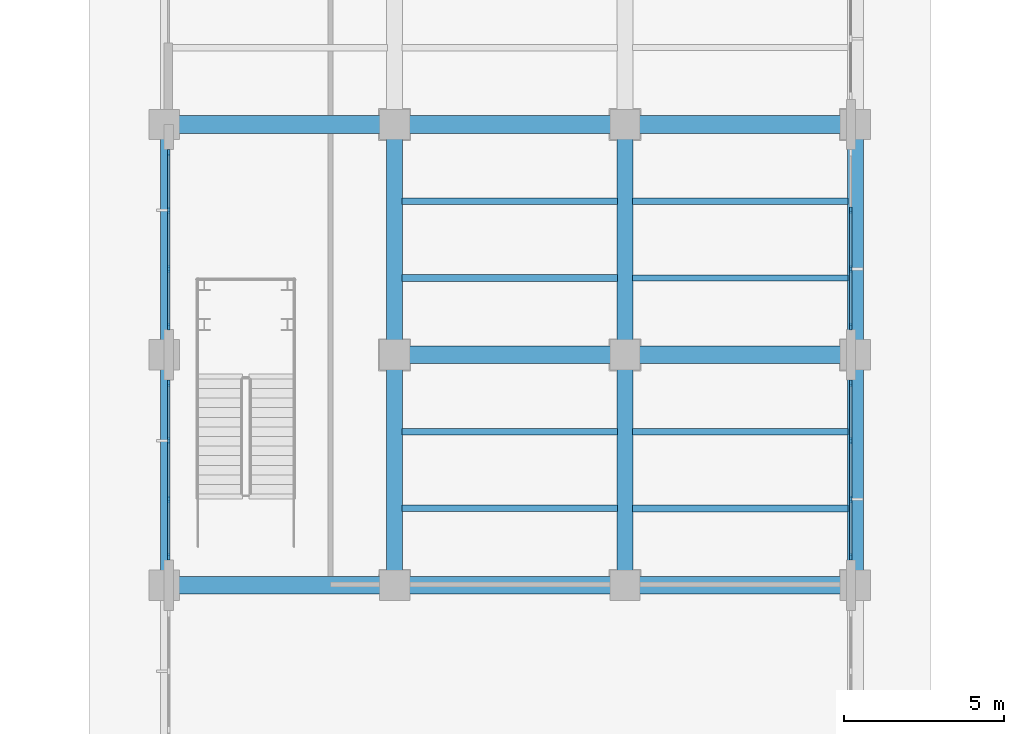
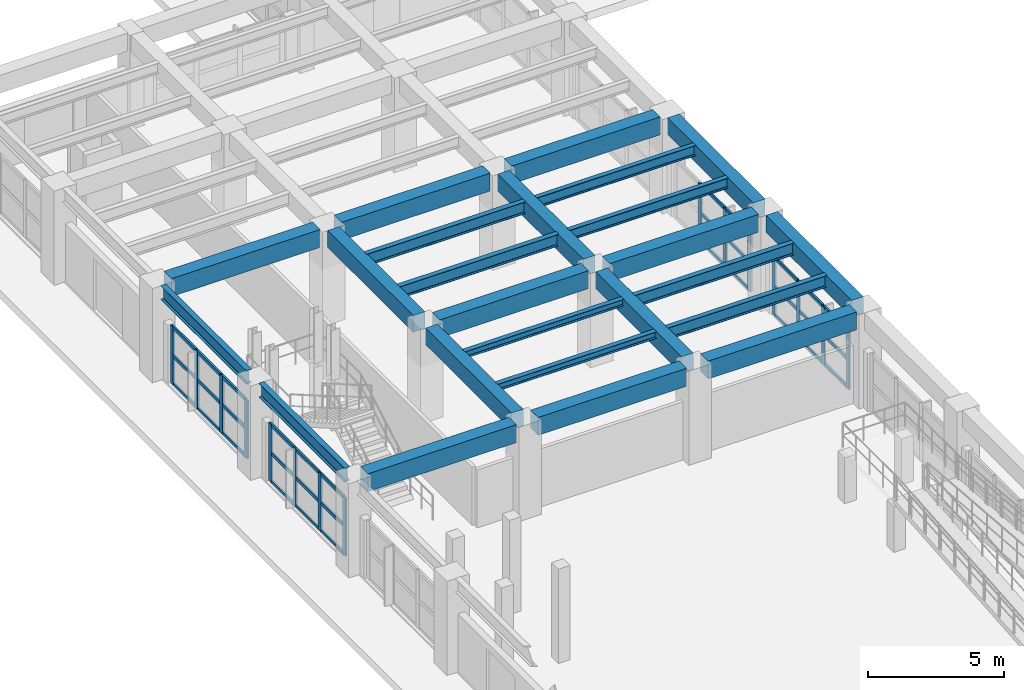
# One storey, part 18 of 64: 48 members, 24 beams, 4 elements without a shape of their own.
"""IFC4 building model written with IfcOpenShell, lengths in metres."""

from ifc_helpers import new_model, si_unit, direction, frame, origin, origin_2d, place, context, subcontext, project, spatial, rectangle, i_section, extrude, material, layer, layer_set, material_profile, profile_set, type_object, element, aggregate, save


model = new_model("IFC4")

# Units and contexts
model_context = context("Model", 3, precision=1e-05, world=origin(), true_north=direction((0.0, 1.0)))
body_context = subcontext(model_context, "Body", "Model", "MODEL_VIEW")
ifc_project = project(units=[si_unit("LENGTHUNIT", "METRE"), si_unit("AREAUNIT", "SQUARE_METRE"), si_unit("VOLUMEUNIT", "CUBIC_METRE"), si_unit("PLANEANGLEUNIT", "RADIAN"), si_unit("MASSUNIT", "GRAM", prefix="KILO")], contexts=[model_context])

# Site, building, storey
site_placement = place(None, origin())
site = spatial("IfcSite", under=ifc_project, at=site_placement, CompositionType="ELEMENT")
building_placement = place(site_placement, origin())
building = spatial("IfcBuilding", under=site, at=building_placement, Name="Solenvale Faculty of Natural Sciences", CompositionType="ELEMENT")
storey_placement = place(building_placement, origin())
storey = spatial("IfcBuildingStorey", under=building, at=storey_placement, Name="L00", CompositionType="ELEMENT", Elevation=0.0)

# Beams
ifc_material_1 = material(Name="Concrete 40 MPa", Category="concrete")
ifc_material_profile_1 = material_profile(ifc_material_1, rectangle(XDim=0.5, YDim=0.75, at=origin_2d()), Name="RC-BM-500x750")
ifc_profile_set_1 = profile_set([ifc_material_profile_1], Name="Concrete 40 MPa")
beam_type_1 = type_object("IfcBeamType", Name="BM-RC-500x750", PredefinedType="BEAM", material=ifc_profile_set_1)
for number, where, z_axis, x_axis, name in (
    (1, (43.199951171875, 65.2548828125, 3.844970703125), (0.0, 1.0, 0.0), (-1.0, 0.0, 0.0), "L00 Y-Girder X43.2 (64.8..72.0)"),
    (2, (43.199951171875, 72.455078125, 3.844970703125), (0.0, 1.0, 0.0), (-1.0, 0.0, 0.0), "L00 Y-Girder X43.2 (72.0..79.2)"),
    (3, (50.39990234375, 65.2548828125, 3.844970703125), (0.0, 1.0, 0.0), (-1.0, 0.0, 0.0), "L00 Y-Girder X50.4 (64.8..72.0)"),
    (4, (50.39990234375, 72.455078125, 3.844970703125), (0.0, 1.0, 0.0), (-1.0, 0.0, 0.0), "L00 Y-Girder X50.4 (72.0..79.2)"),
    (5, (57.60009765625, 65.2548828125, 3.844970703125), (0.0, 1.0, 0.0), (-1.0, 0.0, 0.0), "L00 Y-Girder X57.6 (64.8..72.0)"),
    (6, (57.60009765625, 72.455078125, 3.844970703125), (0.0, 1.0, 0.0), (-1.0, 0.0, 0.0), "L00 Y-Girder X57.6 (72.0..79.2)"),
):
    element("IfcBeam", number, at=place(storey_placement, frame(where, z_axis=z_axis, x_axis=x_axis)), inside=storey, type_object=beam_type_1, Name=name, PredefinedType="BEAM", context=body_context, shape_type="SweptSolid", body=[
        extrude(rectangle(XDim=0.5, YDim=0.75, at=origin_2d()), origin(), (0.0, 0.0, 1.0), 6.2900390625),
    ])
ifc_material_profile_2 = material_profile(ifc_material_1, rectangle(XDim=0.550048828125, YDim=0.800048828125, at=origin_2d()), Name="RC-BM-550x800")
ifc_profile_set_2 = profile_set([ifc_material_profile_2], Name="Concrete 40 MPa")
beam_type_2 = type_object("IfcBeamType", Name="BM-RC-550x800", PredefinedType="BEAM", material=ifc_profile_set_2)
for number, where, z_axis, x_axis, name in (
    (7, (36.455078125, 64.800048828125, 3.820068359375), (1.0, 0.0, 0.0), (0.0, 1.0, 0.0), "L00 X-Girder Y64.8 (36.0..43.2)"),
    (8, (43.655029296875, 64.800048828125, 3.820068359375), (1.0, 0.0, 0.0), (0.0, 1.0, 0.0), "L00 X-Girder Y64.8 (43.2..50.4)"),
    (9, (50.85498046875, 64.800048828125, 3.820068359375), (1.0, 0.0, 0.0), (0.0, 1.0, 0.0), "L00 X-Girder Y64.8 (50.4..57.6)"),
    (10, (43.655029296875, 72.0, 3.820068359375), (1.0, 0.0, 0.0), (0.0, 1.0, 0.0), "L00 X-Girder Y72.0 (43.2..50.4)"),
    (11, (50.85498046875, 72.0, 3.820068359375), (1.0, 0.0, 0.0), (0.0, 1.0, 0.0), "L00 X-Girder Y72.0 (50.4..57.6)"),
    (12, (36.455078125, 79.199951171875, 3.820068359375), (1.0, 0.0, 0.0), (0.0, 1.0, 0.0), "L00 X-Girder Y79.2 (36.0..43.2)"),
    (13, (43.655029296875, 79.199951171875, 3.820068359375), (1.0, 0.0, 0.0), (0.0, 1.0, 0.0), "L00 X-Girder Y79.2 (43.2..50.4)"),
    (14, (50.85498046875, 79.199951171875, 3.820068359375), (1.0, 0.0, 0.0), (0.0, 1.0, 0.0), "L00 X-Girder Y79.2 (50.4..57.6)"),
):
    element("IfcBeam", number, at=place(storey_placement, frame(where, z_axis=z_axis, x_axis=x_axis)), inside=storey, type_object=beam_type_2, Name=name, PredefinedType="BEAM", context=body_context, shape_type="SweptSolid", body=[
        extrude(rectangle(XDim=0.550048828125, YDim=0.800048828125, at=origin_2d()), origin(), (0.0, 0.0, 1.0), 6.2900390625),
    ])
ifc_material_2 = material(Name="Steel S355", Category="steel")
ifc_material_profile_3 = material_profile(ifc_material_2, i_section(OverallWidth=0.202880859375, OverallDepth=0.302978515625, WebThickness=0.007568359375, FlangeThickness=0.01318359375, FilletRadius=0.014892578125, at=origin_2d()), Name="W310x60")
ifc_profile_set_3 = profile_set([ifc_material_profile_3], Name="Steel S355")
beam_type_3 = type_object("IfcBeamType", Name="BM-STL-W310x60", PredefinedType="JOIST", material=ifc_profile_set_3)
for number, where, z_axis, x_axis, name in (
    (15, (43.429931640625, 67.199951171875, 4.068603515625), (1.0, 0.0, 0.0), (0.0, 1.0, 0.0), "L00 Composite Floor Joist (7,10).1"),
    (16, (43.429931640625, 69.60009765625, 4.068603515625), (1.0, 0.0, 0.0), (0.0, 1.0, 0.0), "L00 Composite Floor Joist (7,10).2"),
):
    element("IfcBeam", number, at=place(storey_placement, frame(where, z_axis=z_axis, x_axis=x_axis)), inside=storey, type_object=beam_type_3, Name=name, PredefinedType="JOIST", context=body_context, shape_type="SweptSolid", body=[
        extrude(i_section(OverallWidth=0.202880859375, OverallDepth=0.302978515625, WebThickness=0.007568359375, FlangeThickness=0.01318359375, FilletRadius=0.014892578125, at=origin_2d()), origin(), (0.0, 0.0, 1.0), 6.739990234375),
    ])
ifc_material_profile_4 = material_profile(ifc_material_2, i_section(OverallWidth=0.194091796875, OverallDepth=0.468994140625, WebThickness=0.0126953125, FlangeThickness=0.0205078125, FilletRadius=0.01806640625, at=origin_2d()), Name="W460x106")
ifc_profile_set_4 = profile_set([ifc_material_profile_4], Name="Steel S355")
beam_type_4 = type_object("IfcBeamType", Name="BM-STL-W460x106", PredefinedType="JOIST", material=ifc_profile_set_4)
for number, where, z_axis, x_axis, name in (
    (17, (50.6298828125, 74.39990234375, 3.985595703125), (1.0, 0.0, 0.0), (0.0, 1.0, 0.0), "L00 Composite Floor Joist (8,11).1"),
    (18, (50.6298828125, 76.800048828125, 3.985595703125), (1.0, 0.0, 0.0), (0.0, 1.0, 0.0), "L00 Composite Floor Joist (8,11).2"),
):
    element("IfcBeam", number, at=place(storey_placement, frame(where, z_axis=z_axis, x_axis=x_axis)), inside=storey, type_object=beam_type_4, Name=name, PredefinedType="JOIST", context=body_context, shape_type="SweptSolid", body=[
        extrude(i_section(OverallWidth=0.194091796875, OverallDepth=0.468994140625, WebThickness=0.0126953125, FlangeThickness=0.0205078125, FilletRadius=0.01806640625, at=origin_2d()), origin(), (0.0, 0.0, 1.0), 6.740234375),
    ])
ifc_material_profile_5 = material_profile(ifc_material_2, i_section(OverallWidth=0.208984375, OverallDepth=0.532958984375, WebThickness=0.01025390625, FlangeThickness=0.015625, FilletRadius=0.01904296875, at=origin_2d()), Name="W530x92")
ifc_profile_set_5 = profile_set([ifc_material_profile_5], Name="Steel S355")
beam_type_5 = type_object("IfcBeamType", Name="BM-STL-W530x92", PredefinedType="JOIST", material=ifc_profile_set_5)
for number, where, z_axis, x_axis, name in (
    (19, (43.429931640625, 74.39990234375, 3.95361328125), (1.0, 0.0, 0.0), (0.0, 1.0, 0.0), "L00 Composite Floor Joist (7,11).1"),
    (20, (43.429931640625, 76.800048828125, 3.95361328125), (1.0, 0.0, 0.0), (0.0, 1.0, 0.0), "L00 Composite Floor Joist (7,11).2"),
):
    element("IfcBeam", number, at=place(storey_placement, frame(where, z_axis=z_axis, x_axis=x_axis)), inside=storey, type_object=beam_type_5, Name=name, PredefinedType="JOIST", context=body_context, shape_type="SweptSolid", body=[
        extrude(i_section(OverallWidth=0.208984375, OverallDepth=0.532958984375, WebThickness=0.01025390625, FlangeThickness=0.015625, FilletRadius=0.01904296875, at=origin_2d()), origin(), (0.0, 0.0, 1.0), 6.739990234375),
    ])
for number, where, z_axis, x_axis, name in (
    (21, (50.6298828125, 67.199951171875, 3.95361328125), (1.0, 0.0, 0.0), (0.0, 1.0, 0.0), "L00 Composite Floor Joist (8,10).1"),
    (22, (50.6298828125, 69.60009765625, 3.95361328125), (1.0, 0.0, 0.0), (0.0, 1.0, 0.0), "L00 Composite Floor Joist (8,10).2"),
):
    element("IfcBeam", number, at=place(storey_placement, frame(where, z_axis=z_axis, x_axis=x_axis)), inside=storey, type_object=beam_type_5, Name=name, PredefinedType="JOIST", context=body_context, shape_type="SweptSolid", body=[
        extrude(i_section(OverallWidth=0.208984375, OverallDepth=0.532958984375, WebThickness=0.01025390625, FlangeThickness=0.015625, FilletRadius=0.01904296875, at=origin_2d()), origin(), (0.0, 0.0, 1.0), 6.740234375),
    ])
ifc_material_profile_6 = material_profile(ifc_material_2, i_section(OverallWidth=0.22900390625, OverallDepth=0.612060546875, WebThickness=0.011962890625, FlangeThickness=0.01953125, FilletRadius=0.01904296875, at=origin_2d()), Name="W610x125")
ifc_profile_set_6 = profile_set([ifc_material_profile_6], Name="Steel S355")
beam_type_6 = type_object("IfcBeamType", Name="BM-STL-W610x125", PredefinedType="BEAM", material=ifc_profile_set_6)
for number, where, z_axis, x_axis, name in (
    (23, (36.0, 65.2548828125, 3.9140625), (0.0, 1.0, 0.0), (-1.0, 0.0, 0.0), "L00 Y-Girder X36.0 (64.8..72.0)"),
    (24, (36.0, 72.455078125, 3.9140625), (0.0, 1.0, 0.0), (-1.0, 0.0, 0.0), "L00 Y-Girder X36.0 (72.0..79.2)"),
):
    element("IfcBeam", number, at=place(storey_placement, frame(where, z_axis=z_axis, x_axis=x_axis)), inside=storey, type_object=beam_type_6, Name=name, PredefinedType="BEAM", context=body_context, shape_type="SweptSolid", body=[
        extrude(i_section(OverallWidth=0.22900390625, OverallDepth=0.612060546875, WebThickness=0.011962890625, FlangeThickness=0.01953125, FilletRadius=0.01904296875, at=origin_2d()), origin(), (0.0, 0.0, 1.0), 6.2900390625),
    ])

# Curtain wall, members
ifc_material_3 = material(Name="Anodised bronze aluminium", Category="aluminium")
ifc_layer = layer(ifc_material_3, 0.215087890625)
ifc_layer_set = layer_set([ifc_layer], Name="Anodised bronze aluminium")
curtain_wall_type = type_object("IfcCurtainWallType", Name="CW-ATR-UNIT", PredefinedType="USERDEFINED", material=ifc_layer_set)
curtain_wall_1_placement = place(storey_placement, origin())
curtain_wall_1 = element("IfcCurtainWall", 25, at=curtain_wall_1_placement, inside=storey, type_object=curtain_wall_type, Name="L00 Curtain Wall CW-L00-P1-E10-B3", ObjectType="UNITISED CURTAIN WALL", PredefinedType="USERDEFINED")
ifc_material_profile_7 = material_profile(ifc_material_3, rectangle(XDim=0.074951171875, YDim=0.2099609375, at=origin_2d()), Name="ALU-MUL-75x210")
ifc_profile_set_7 = profile_set([ifc_material_profile_7], Name="Anodised bronze aluminium")
member_type_1 = type_object("IfcMemberType", Name="CWM-ALU-75x210", PredefinedType="MULLION", material=ifc_profile_set_7)
member_1_placement = place(storey_placement, frame((57.45751953125, 65.6875, 0.0), z_axis=(0.0, 0.0, 1.0), x_axis=(-1.0, 0.0, 0.0)))
member_1 = element("IfcMember", 26, at=member_1_placement, type_object=member_type_1, Name="CW-01 mullion 1", PredefinedType="MULLION", context=body_context, shape_type="SweptSolid", body=[
    extrude(rectangle(XDim=0.074951171875, YDim=0.2099609375, at=origin_2d()), origin(), (0.0, 0.0, 1.0), 2.60009765625),
])
member_2_placement = place(storey_placement, frame((57.45751953125, 67.4833984375, 0.0), z_axis=(0.0, 0.0, 1.0), x_axis=(-1.0, 0.0, 0.0)))
member_2 = element("IfcMember", 27, at=member_2_placement, type_object=member_type_1, Name="CW-01 mullion 2", PredefinedType="MULLION", context=body_context, shape_type="SweptSolid", body=[
    extrude(rectangle(XDim=0.074951171875, YDim=0.2099609375, at=origin_2d()), origin(), (0.0, 0.0, 1.0), 2.60009765625),
])
member_3_placement = place(storey_placement, frame((57.45751953125, 69.316650390625, 0.0), z_axis=(0.0, 0.0, 1.0), x_axis=(-1.0, 0.0, 0.0)))
member_3 = element("IfcMember", 28, at=member_3_placement, type_object=member_type_1, Name="CW-01 mullion 3", PredefinedType="MULLION", context=body_context, shape_type="SweptSolid", body=[
    extrude(rectangle(XDim=0.074951171875, YDim=0.2099609375, at=origin_2d()), origin(), (0.0, 0.0, 1.0), 2.60009765625),
])
member_4_placement = place(storey_placement, frame((57.45751953125, 71.112548828125, 0.0), z_axis=(0.0, 0.0, 1.0), x_axis=(-1.0, 0.0, 0.0)))
member_4 = element("IfcMember", 29, at=member_4_placement, type_object=member_type_1, Name="CW-01 mullion 4", PredefinedType="MULLION", context=body_context, shape_type="SweptSolid", body=[
    extrude(rectangle(XDim=0.074951171875, YDim=0.2099609375, at=origin_2d()), origin(), (0.0, 0.0, 1.0), 2.60009765625),
])

curtain_wall_2_placement = place(storey_placement, origin())
curtain_wall_2 = element("IfcCurtainWall", 30, at=curtain_wall_2_placement, inside=storey, type_object=curtain_wall_type, Name="L00 Curtain Wall CW-L00-P1-E10-B4", ObjectType="UNITISED CURTAIN WALL", PredefinedType="USERDEFINED")
member_5_placement = place(storey_placement, frame((57.45751953125, 72.887451171875, 0.0), z_axis=(0.0, 0.0, 1.0), x_axis=(-1.0, 0.0, 0.0)))
member_5 = element("IfcMember", 31, at=member_5_placement, type_object=member_type_1, Name="CW-01 mullion 1", PredefinedType="MULLION", context=body_context, shape_type="SweptSolid", body=[
    extrude(rectangle(XDim=0.074951171875, YDim=0.2099609375, at=origin_2d()), origin(), (0.0, 0.0, 1.0), 2.60009765625),
])
member_6_placement = place(storey_placement, frame((57.45751953125, 74.683349609375, 0.0), z_axis=(0.0, 0.0, 1.0), x_axis=(-1.0, 0.0, 0.0)))
member_6 = element("IfcMember", 32, at=member_6_placement, type_object=member_type_1, Name="CW-01 mullion 2", PredefinedType="MULLION", context=body_context, shape_type="SweptSolid", body=[
    extrude(rectangle(XDim=0.074951171875, YDim=0.2099609375, at=origin_2d()), origin(), (0.0, 0.0, 1.0), 2.60009765625),
])
member_7_placement = place(storey_placement, frame((57.45751953125, 76.5166015625, 0.0), z_axis=(0.0, 0.0, 1.0), x_axis=(-1.0, 0.0, 0.0)))
member_7 = element("IfcMember", 33, at=member_7_placement, type_object=member_type_1, Name="CW-01 mullion 3", PredefinedType="MULLION", context=body_context, shape_type="SweptSolid", body=[
    extrude(rectangle(XDim=0.074951171875, YDim=0.2099609375, at=origin_2d()), origin(), (0.0, 0.0, 1.0), 2.60009765625),
])

curtain_wall_3_placement = place(storey_placement, origin())
curtain_wall_3 = element("IfcCurtainWall", 34, at=curtain_wall_3_placement, inside=storey, type_object=curtain_wall_type, Name="L00 Curtain Wall CW-L00-P1-E22-B3", ObjectType="UNITISED CURTAIN WALL", PredefinedType="USERDEFINED")
member_8_placement = place(storey_placement, frame((36.142578125, 78.3125, 0.0), z_axis=(0.0, 0.0, 1.0), x_axis=(1.0, 0.0, 0.0)))
member_8 = element("IfcMember", 35, at=member_8_placement, type_object=member_type_1, Name="CW-01 mullion 1", PredefinedType="MULLION", context=body_context, shape_type="SweptSolid", body=[
    extrude(rectangle(XDim=0.074951171875, YDim=0.2099609375, at=origin_2d()), origin(), (0.0, 0.0, 1.0), 2.60009765625),
])
member_9_placement = place(storey_placement, frame((36.142578125, 76.5166015625, 0.0), z_axis=(0.0, 0.0, 1.0), x_axis=(1.0, 0.0, 0.0)))
member_9 = element("IfcMember", 36, at=member_9_placement, type_object=member_type_1, Name="CW-01 mullion 2", PredefinedType="MULLION", context=body_context, shape_type="SweptSolid", body=[
    extrude(rectangle(XDim=0.074951171875, YDim=0.2099609375, at=origin_2d()), origin(), (0.0, 0.0, 1.0), 2.60009765625),
])
member_10_placement = place(storey_placement, frame((36.142578125, 74.683349609375, 0.0), z_axis=(0.0, 0.0, 1.0), x_axis=(1.0, 0.0, 0.0)))
member_10 = element("IfcMember", 37, at=member_10_placement, type_object=member_type_1, Name="CW-01 mullion 3", PredefinedType="MULLION", context=body_context, shape_type="SweptSolid", body=[
    extrude(rectangle(XDim=0.074951171875, YDim=0.2099609375, at=origin_2d()), origin(), (0.0, 0.0, 1.0), 2.60009765625),
])
member_11_placement = place(storey_placement, frame((36.142578125, 72.887451171875, 0.0), z_axis=(0.0, 0.0, 1.0), x_axis=(1.0, 0.0, 0.0)))
member_11 = element("IfcMember", 38, at=member_11_placement, type_object=member_type_1, Name="CW-01 mullion 4", PredefinedType="MULLION", context=body_context, shape_type="SweptSolid", body=[
    extrude(rectangle(XDim=0.074951171875, YDim=0.2099609375, at=origin_2d()), origin(), (0.0, 0.0, 1.0), 2.60009765625),
])

curtain_wall_4_placement = place(storey_placement, origin())
curtain_wall_4 = element("IfcCurtainWall", 39, at=curtain_wall_4_placement, inside=storey, type_object=curtain_wall_type, Name="L00 Curtain Wall CW-L00-P1-E22-B4", ObjectType="UNITISED CURTAIN WALL", PredefinedType="USERDEFINED")
member_12_placement = place(storey_placement, frame((36.142578125, 71.112548828125, 0.0), z_axis=(0.0, 0.0, 1.0), x_axis=(1.0, 0.0, 0.0)))
member_12 = element("IfcMember", 40, at=member_12_placement, type_object=member_type_1, Name="CW-01 mullion 1", PredefinedType="MULLION", context=body_context, shape_type="SweptSolid", body=[
    extrude(rectangle(XDim=0.074951171875, YDim=0.2099609375, at=origin_2d()), origin(), (0.0, 0.0, 1.0), 2.60009765625),
])
member_13_placement = place(storey_placement, frame((36.142578125, 69.316650390625, 0.0), z_axis=(0.0, 0.0, 1.0), x_axis=(1.0, 0.0, 0.0)))
member_13 = element("IfcMember", 41, at=member_13_placement, type_object=member_type_1, Name="CW-01 mullion 2", PredefinedType="MULLION", context=body_context, shape_type="SweptSolid", body=[
    extrude(rectangle(XDim=0.074951171875, YDim=0.2099609375, at=origin_2d()), origin(), (0.0, 0.0, 1.0), 2.60009765625),
])
member_14_placement = place(storey_placement, frame((36.142578125, 67.4833984375, 0.0), z_axis=(0.0, 0.0, 1.0), x_axis=(1.0, 0.0, 0.0)))
member_14 = element("IfcMember", 42, at=member_14_placement, type_object=member_type_1, Name="CW-01 mullion 3", PredefinedType="MULLION", context=body_context, shape_type="SweptSolid", body=[
    extrude(rectangle(XDim=0.074951171875, YDim=0.2099609375, at=origin_2d()), origin(), (0.0, 0.0, 1.0), 2.60009765625),
])
member_15_placement = place(storey_placement, frame((36.142578125, 65.6875, 0.0), z_axis=(0.0, 0.0, 1.0), x_axis=(1.0, 0.0, 0.0)))
member_15 = element("IfcMember", 43, at=member_15_placement, type_object=member_type_1, Name="CW-01 mullion 4", PredefinedType="MULLION", context=body_context, shape_type="SweptSolid", body=[
    extrude(rectangle(XDim=0.074951171875, YDim=0.2099609375, at=origin_2d()), origin(), (0.0, 0.0, 1.0), 2.60009765625),
])

# Member
ifc_material_profile_8 = material_profile(ifc_material_3, rectangle(XDim=0.074951171875, YDim=0.155029296875, at=origin_2d()), Name="ALU-TRN-75x155")
ifc_profile_set_8 = profile_set([ifc_material_profile_8], Name="Anodised bronze aluminium")
member_type_2 = type_object("IfcMemberType", Name="CWT-ALU-75x155", PredefinedType="USERDEFINED", material=ifc_profile_set_8)
member_16_placement = place(storey_placement, frame((57.45751953125, 65.72509765625, 0.03759765625), z_axis=(0.0, 1.0, 0.0), x_axis=(-1.0, 0.0, 0.0)))
member_16 = element("IfcMember", 44, at=member_16_placement, type_object=member_type_2, Name="CW-01 transom 1.1", ObjectType="TRANSOM", PredefinedType="USERDEFINED", context=body_context, shape_type="SweptSolid", body=[
    extrude(rectangle(XDim=0.074951171875, YDim=0.155029296875, at=origin_2d()), origin(), (0.0, 0.0, 1.0), 1.720703125),
])

member_17_placement = place(storey_placement, frame((57.45751953125, 65.72509765625, 1.300048828125), z_axis=(0.0, 1.0, 0.0), x_axis=(-1.0, 0.0, 0.0)))
member_17 = element("IfcMember", 45, at=member_17_placement, type_object=member_type_2, Name="CW-01 transom 1.2", ObjectType="TRANSOM", PredefinedType="USERDEFINED", context=body_context, shape_type="SweptSolid", body=[
    extrude(rectangle(XDim=0.074951171875, YDim=0.155029296875, at=origin_2d()), origin(), (0.0, 0.0, 1.0), 1.720703125),
])

member_18_placement = place(storey_placement, frame((57.45751953125, 65.72509765625, 2.5625), z_axis=(0.0, 1.0, 0.0), x_axis=(-1.0, 0.0, 0.0)))
member_18 = element("IfcMember", 46, at=member_18_placement, type_object=member_type_2, Name="CW-01 transom 1.3", ObjectType="TRANSOM", PredefinedType="USERDEFINED", context=body_context, shape_type="SweptSolid", body=[
    extrude(rectangle(XDim=0.074951171875, YDim=0.155029296875, at=origin_2d()), origin(), (0.0, 0.0, 1.0), 1.720703125),
])

member_19_placement = place(storey_placement, frame((57.45751953125, 67.520751953125, 0.03759765625), z_axis=(0.0, 1.0, 0.0), x_axis=(-1.0, 0.0, 0.0)))
member_19 = element("IfcMember", 47, at=member_19_placement, type_object=member_type_2, Name="CW-01 transom 2.1", ObjectType="TRANSOM", PredefinedType="USERDEFINED", context=body_context, shape_type="SweptSolid", body=[
    extrude(rectangle(XDim=0.074951171875, YDim=0.155029296875, at=origin_2d()), origin(), (0.0, 0.0, 1.0), 1.75830078125),
])

member_20_placement = place(storey_placement, frame((57.45751953125, 67.520751953125, 1.300048828125), z_axis=(0.0, 1.0, 0.0), x_axis=(-1.0, 0.0, 0.0)))
member_20 = element("IfcMember", 48, at=member_20_placement, type_object=member_type_2, Name="CW-01 transom 2.2", ObjectType="TRANSOM", PredefinedType="USERDEFINED", context=body_context, shape_type="SweptSolid", body=[
    extrude(rectangle(XDim=0.074951171875, YDim=0.155029296875, at=origin_2d()), origin(), (0.0, 0.0, 1.0), 1.75830078125),
])

member_21_placement = place(storey_placement, frame((57.45751953125, 67.520751953125, 2.5625), z_axis=(0.0, 1.0, 0.0), x_axis=(-1.0, 0.0, 0.0)))
member_21 = element("IfcMember", 49, at=member_21_placement, type_object=member_type_2, Name="CW-01 transom 2.3", ObjectType="TRANSOM", PredefinedType="USERDEFINED", context=body_context, shape_type="SweptSolid", body=[
    extrude(rectangle(XDim=0.074951171875, YDim=0.155029296875, at=origin_2d()), origin(), (0.0, 0.0, 1.0), 1.75830078125),
])

member_22_placement = place(storey_placement, frame((57.45751953125, 69.354248046875, 0.03759765625), z_axis=(0.0, 1.0, 0.0), x_axis=(-1.0, 0.0, 0.0)))
member_22 = element("IfcMember", 50, at=member_22_placement, type_object=member_type_2, Name="CW-01 transom 3.1", ObjectType="TRANSOM", PredefinedType="USERDEFINED", context=body_context, shape_type="SweptSolid", body=[
    extrude(rectangle(XDim=0.074951171875, YDim=0.155029296875, at=origin_2d()), origin(), (0.0, 0.0, 1.0), 1.720703125),
])

member_23_placement = place(storey_placement, frame((57.45751953125, 69.354248046875, 1.300048828125), z_axis=(0.0, 1.0, 0.0), x_axis=(-1.0, 0.0, 0.0)))
member_23 = element("IfcMember", 51, at=member_23_placement, type_object=member_type_2, Name="CW-01 transom 3.2", ObjectType="TRANSOM", PredefinedType="USERDEFINED", context=body_context, shape_type="SweptSolid", body=[
    extrude(rectangle(XDim=0.074951171875, YDim=0.155029296875, at=origin_2d()), origin(), (0.0, 0.0, 1.0), 1.720703125),
])

member_24_placement = place(storey_placement, frame((57.45751953125, 69.354248046875, 2.5625), z_axis=(0.0, 1.0, 0.0), x_axis=(-1.0, 0.0, 0.0)))
member_24 = element("IfcMember", 52, at=member_24_placement, type_object=member_type_2, Name="CW-01 transom 3.3", ObjectType="TRANSOM", PredefinedType="USERDEFINED", context=body_context, shape_type="SweptSolid", body=[
    extrude(rectangle(XDim=0.074951171875, YDim=0.155029296875, at=origin_2d()), origin(), (0.0, 0.0, 1.0), 1.720703125),
])

aggregate(curtain_wall_1, [member_1, member_2, member_3, member_4, member_16, member_17, member_18, member_19, member_20, member_21, member_22, member_23, member_24])

member_25_placement = place(storey_placement, frame((57.45751953125, 72.925048828125, 0.03759765625), z_axis=(0.0, 1.0, 0.0), x_axis=(-1.0, 0.0, 0.0)))
member_25 = element("IfcMember", 53, at=member_25_placement, type_object=member_type_2, Name="CW-01 transom 1.1", ObjectType="TRANSOM", PredefinedType="USERDEFINED", context=body_context, shape_type="SweptSolid", body=[
    extrude(rectangle(XDim=0.074951171875, YDim=0.155029296875, at=origin_2d()), origin(), (0.0, 0.0, 1.0), 1.720703125),
])

member_26_placement = place(storey_placement, frame((57.45751953125, 72.925048828125, 1.300048828125), z_axis=(0.0, 1.0, 0.0), x_axis=(-1.0, 0.0, 0.0)))
member_26 = element("IfcMember", 54, at=member_26_placement, type_object=member_type_2, Name="CW-01 transom 1.2", ObjectType="TRANSOM", PredefinedType="USERDEFINED", context=body_context, shape_type="SweptSolid", body=[
    extrude(rectangle(XDim=0.074951171875, YDim=0.155029296875, at=origin_2d()), origin(), (0.0, 0.0, 1.0), 1.720703125),
])

member_27_placement = place(storey_placement, frame((57.45751953125, 72.925048828125, 2.5625), z_axis=(0.0, 1.0, 0.0), x_axis=(-1.0, 0.0, 0.0)))
member_27 = element("IfcMember", 55, at=member_27_placement, type_object=member_type_2, Name="CW-01 transom 1.3", ObjectType="TRANSOM", PredefinedType="USERDEFINED", context=body_context, shape_type="SweptSolid", body=[
    extrude(rectangle(XDim=0.074951171875, YDim=0.155029296875, at=origin_2d()), origin(), (0.0, 0.0, 1.0), 1.720703125),
])

member_28_placement = place(storey_placement, frame((57.45751953125, 74.720947265625, 0.03759765625), z_axis=(0.0, 1.0, 0.0), x_axis=(-1.0, 0.0, 0.0)))
member_28 = element("IfcMember", 56, at=member_28_placement, type_object=member_type_2, Name="CW-01 transom 2.1", ObjectType="TRANSOM", PredefinedType="USERDEFINED", context=body_context, shape_type="SweptSolid", body=[
    extrude(rectangle(XDim=0.074951171875, YDim=0.155029296875, at=origin_2d()), origin(), (0.0, 0.0, 1.0), 1.75830078125),
])

member_29_placement = place(storey_placement, frame((57.45751953125, 74.720947265625, 1.300048828125), z_axis=(0.0, 1.0, 0.0), x_axis=(-1.0, 0.0, 0.0)))
member_29 = element("IfcMember", 57, at=member_29_placement, type_object=member_type_2, Name="CW-01 transom 2.2", ObjectType="TRANSOM", PredefinedType="USERDEFINED", context=body_context, shape_type="SweptSolid", body=[
    extrude(rectangle(XDim=0.074951171875, YDim=0.155029296875, at=origin_2d()), origin(), (0.0, 0.0, 1.0), 1.75830078125),
])

member_30_placement = place(storey_placement, frame((57.45751953125, 74.720947265625, 2.5625), z_axis=(0.0, 1.0, 0.0), x_axis=(-1.0, 0.0, 0.0)))
member_30 = element("IfcMember", 58, at=member_30_placement, type_object=member_type_2, Name="CW-01 transom 2.3", ObjectType="TRANSOM", PredefinedType="USERDEFINED", context=body_context, shape_type="SweptSolid", body=[
    extrude(rectangle(XDim=0.074951171875, YDim=0.155029296875, at=origin_2d()), origin(), (0.0, 0.0, 1.0), 1.75830078125),
])

aggregate(curtain_wall_2, [member_5, member_6, member_7, member_25, member_26, member_27, member_28, member_29, member_30])

member_31_placement = place(storey_placement, frame((36.142578125, 78.27490234375, 0.03759765625), z_axis=(0.0, -1.0, 0.0), x_axis=(1.0, 0.0, 0.0)))
member_31 = element("IfcMember", 59, at=member_31_placement, type_object=member_type_2, Name="CW-01 transom 1.1", ObjectType="TRANSOM", PredefinedType="USERDEFINED", context=body_context, shape_type="SweptSolid", body=[
    extrude(rectangle(XDim=0.074951171875, YDim=0.155029296875, at=origin_2d()), origin(), (0.0, 0.0, 1.0), 1.720703125),
])

member_32_placement = place(storey_placement, frame((36.142578125, 78.27490234375, 1.300048828125), z_axis=(0.0, -1.0, 0.0), x_axis=(1.0, 0.0, 0.0)))
member_32 = element("IfcMember", 60, at=member_32_placement, type_object=member_type_2, Name="CW-01 transom 1.2", ObjectType="TRANSOM", PredefinedType="USERDEFINED", context=body_context, shape_type="SweptSolid", body=[
    extrude(rectangle(XDim=0.074951171875, YDim=0.155029296875, at=origin_2d()), origin(), (0.0, 0.0, 1.0), 1.720703125),
])

member_33_placement = place(storey_placement, frame((36.142578125, 78.27490234375, 2.5625), z_axis=(0.0, -1.0, 0.0), x_axis=(1.0, 0.0, 0.0)))
member_33 = element("IfcMember", 61, at=member_33_placement, type_object=member_type_2, Name="CW-01 transom 1.3", ObjectType="TRANSOM", PredefinedType="USERDEFINED", context=body_context, shape_type="SweptSolid", body=[
    extrude(rectangle(XDim=0.074951171875, YDim=0.155029296875, at=origin_2d()), origin(), (0.0, 0.0, 1.0), 1.720703125),
])

member_34_placement = place(storey_placement, frame((36.142578125, 76.479248046875, 0.03759765625), z_axis=(0.0, -1.0, 0.0), x_axis=(1.0, 0.0, 0.0)))
member_34 = element("IfcMember", 62, at=member_34_placement, type_object=member_type_2, Name="CW-01 transom 2.1", ObjectType="TRANSOM", PredefinedType="USERDEFINED", context=body_context, shape_type="SweptSolid", body=[
    extrude(rectangle(XDim=0.074951171875, YDim=0.155029296875, at=origin_2d()), origin(), (0.0, 0.0, 1.0), 1.75830078125),
])

member_35_placement = place(storey_placement, frame((36.142578125, 76.479248046875, 1.300048828125), z_axis=(0.0, -1.0, 0.0), x_axis=(1.0, 0.0, 0.0)))
member_35 = element("IfcMember", 63, at=member_35_placement, type_object=member_type_2, Name="CW-01 transom 2.2", ObjectType="TRANSOM", PredefinedType="USERDEFINED", context=body_context, shape_type="SweptSolid", body=[
    extrude(rectangle(XDim=0.074951171875, YDim=0.155029296875, at=origin_2d()), origin(), (0.0, 0.0, 1.0), 1.75830078125),
])

member_36_placement = place(storey_placement, frame((36.142578125, 76.479248046875, 2.5625), z_axis=(0.0, -1.0, 0.0), x_axis=(1.0, 0.0, 0.0)))
member_36 = element("IfcMember", 64, at=member_36_placement, type_object=member_type_2, Name="CW-01 transom 2.3", ObjectType="TRANSOM", PredefinedType="USERDEFINED", context=body_context, shape_type="SweptSolid", body=[
    extrude(rectangle(XDim=0.074951171875, YDim=0.155029296875, at=origin_2d()), origin(), (0.0, 0.0, 1.0), 1.75830078125),
])

member_37_placement = place(storey_placement, frame((36.142578125, 74.645751953125, 0.03759765625), z_axis=(0.0, -1.0, 0.0), x_axis=(1.0, 0.0, 0.0)))
member_37 = element("IfcMember", 65, at=member_37_placement, type_object=member_type_2, Name="CW-01 transom 3.1", ObjectType="TRANSOM", PredefinedType="USERDEFINED", context=body_context, shape_type="SweptSolid", body=[
    extrude(rectangle(XDim=0.074951171875, YDim=0.155029296875, at=origin_2d()), origin(), (0.0, 0.0, 1.0), 1.720703125),
])

member_38_placement = place(storey_placement, frame((36.142578125, 74.645751953125, 1.300048828125), z_axis=(0.0, -1.0, 0.0), x_axis=(1.0, 0.0, 0.0)))
member_38 = element("IfcMember", 66, at=member_38_placement, type_object=member_type_2, Name="CW-01 transom 3.2", ObjectType="TRANSOM", PredefinedType="USERDEFINED", context=body_context, shape_type="SweptSolid", body=[
    extrude(rectangle(XDim=0.074951171875, YDim=0.155029296875, at=origin_2d()), origin(), (0.0, 0.0, 1.0), 1.720703125),
])

member_39_placement = place(storey_placement, frame((36.142578125, 74.645751953125, 2.5625), z_axis=(0.0, -1.0, 0.0), x_axis=(1.0, 0.0, 0.0)))
member_39 = element("IfcMember", 67, at=member_39_placement, type_object=member_type_2, Name="CW-01 transom 3.3", ObjectType="TRANSOM", PredefinedType="USERDEFINED", context=body_context, shape_type="SweptSolid", body=[
    extrude(rectangle(XDim=0.074951171875, YDim=0.155029296875, at=origin_2d()), origin(), (0.0, 0.0, 1.0), 1.720703125),
])

aggregate(curtain_wall_3, [member_8, member_9, member_10, member_11, member_31, member_32, member_33, member_34, member_35, member_36, member_37, member_38, member_39])

member_40_placement = place(storey_placement, frame((36.142578125, 71.074951171875, 0.03759765625), z_axis=(0.0, -1.0, 0.0), x_axis=(1.0, 0.0, 0.0)))
member_40 = element("IfcMember", 68, at=member_40_placement, type_object=member_type_2, Name="CW-01 transom 1.1", ObjectType="TRANSOM", PredefinedType="USERDEFINED", context=body_context, shape_type="SweptSolid", body=[
    extrude(rectangle(XDim=0.074951171875, YDim=0.155029296875, at=origin_2d()), origin(), (0.0, 0.0, 1.0), 1.720703125),
])

member_41_placement = place(storey_placement, frame((36.142578125, 71.074951171875, 1.300048828125), z_axis=(0.0, -1.0, 0.0), x_axis=(1.0, 0.0, 0.0)))
member_41 = element("IfcMember", 69, at=member_41_placement, type_object=member_type_2, Name="CW-01 transom 1.2", ObjectType="TRANSOM", PredefinedType="USERDEFINED", context=body_context, shape_type="SweptSolid", body=[
    extrude(rectangle(XDim=0.074951171875, YDim=0.155029296875, at=origin_2d()), origin(), (0.0, 0.0, 1.0), 1.720703125),
])

member_42_placement = place(storey_placement, frame((36.142578125, 71.074951171875, 2.5625), z_axis=(0.0, -1.0, 0.0), x_axis=(1.0, 0.0, 0.0)))
member_42 = element("IfcMember", 70, at=member_42_placement, type_object=member_type_2, Name="CW-01 transom 1.3", ObjectType="TRANSOM", PredefinedType="USERDEFINED", context=body_context, shape_type="SweptSolid", body=[
    extrude(rectangle(XDim=0.074951171875, YDim=0.155029296875, at=origin_2d()), origin(), (0.0, 0.0, 1.0), 1.720703125),
])

member_43_placement = place(storey_placement, frame((36.142578125, 69.279052734375, 0.03759765625), z_axis=(0.0, -1.0, 0.0), x_axis=(1.0, 0.0, 0.0)))
member_43 = element("IfcMember", 71, at=member_43_placement, type_object=member_type_2, Name="CW-01 transom 2.1", ObjectType="TRANSOM", PredefinedType="USERDEFINED", context=body_context, shape_type="SweptSolid", body=[
    extrude(rectangle(XDim=0.074951171875, YDim=0.155029296875, at=origin_2d()), origin(), (0.0, 0.0, 1.0), 1.75830078125),
])

member_44_placement = place(storey_placement, frame((36.142578125, 69.279052734375, 1.300048828125), z_axis=(0.0, -1.0, 0.0), x_axis=(1.0, 0.0, 0.0)))
member_44 = element("IfcMember", 72, at=member_44_placement, type_object=member_type_2, Name="CW-01 transom 2.2", ObjectType="TRANSOM", PredefinedType="USERDEFINED", context=body_context, shape_type="SweptSolid", body=[
    extrude(rectangle(XDim=0.074951171875, YDim=0.155029296875, at=origin_2d()), origin(), (0.0, 0.0, 1.0), 1.75830078125),
])

member_45_placement = place(storey_placement, frame((36.142578125, 69.279052734375, 2.5625), z_axis=(0.0, -1.0, 0.0), x_axis=(1.0, 0.0, 0.0)))
member_45 = element("IfcMember", 73, at=member_45_placement, type_object=member_type_2, Name="CW-01 transom 2.3", ObjectType="TRANSOM", PredefinedType="USERDEFINED", context=body_context, shape_type="SweptSolid", body=[
    extrude(rectangle(XDim=0.074951171875, YDim=0.155029296875, at=origin_2d()), origin(), (0.0, 0.0, 1.0), 1.75830078125),
])

member_46_placement = place(storey_placement, frame((36.142578125, 67.44580078125, 0.03759765625), z_axis=(0.0, -1.0, 0.0), x_axis=(1.0, 0.0, 0.0)))
member_46 = element("IfcMember", 74, at=member_46_placement, type_object=member_type_2, Name="CW-01 transom 3.1", ObjectType="TRANSOM", PredefinedType="USERDEFINED", context=body_context, shape_type="SweptSolid", body=[
    extrude(rectangle(XDim=0.074951171875, YDim=0.155029296875, at=origin_2d()), origin(), (0.0, 0.0, 1.0), 1.720703125),
])

member_47_placement = place(storey_placement, frame((36.142578125, 67.44580078125, 1.300048828125), z_axis=(0.0, -1.0, 0.0), x_axis=(1.0, 0.0, 0.0)))
member_47 = element("IfcMember", 75, at=member_47_placement, type_object=member_type_2, Name="CW-01 transom 3.2", ObjectType="TRANSOM", PredefinedType="USERDEFINED", context=body_context, shape_type="SweptSolid", body=[
    extrude(rectangle(XDim=0.074951171875, YDim=0.155029296875, at=origin_2d()), origin(), (0.0, 0.0, 1.0), 1.720703125),
])

member_48_placement = place(storey_placement, frame((36.142578125, 67.44580078125, 2.5625), z_axis=(0.0, -1.0, 0.0), x_axis=(1.0, 0.0, 0.0)))
member_48 = element("IfcMember", 76, at=member_48_placement, type_object=member_type_2, Name="CW-01 transom 3.3", ObjectType="TRANSOM", PredefinedType="USERDEFINED", context=body_context, shape_type="SweptSolid", body=[
    extrude(rectangle(XDim=0.074951171875, YDim=0.155029296875, at=origin_2d()), origin(), (0.0, 0.0, 1.0), 1.720703125),
])

aggregate(curtain_wall_4, [member_12, member_13, member_14, member_15, member_40, member_41, member_42, member_43, member_44, member_45, member_46, member_47, member_48])

save(model, "model.ifc")
